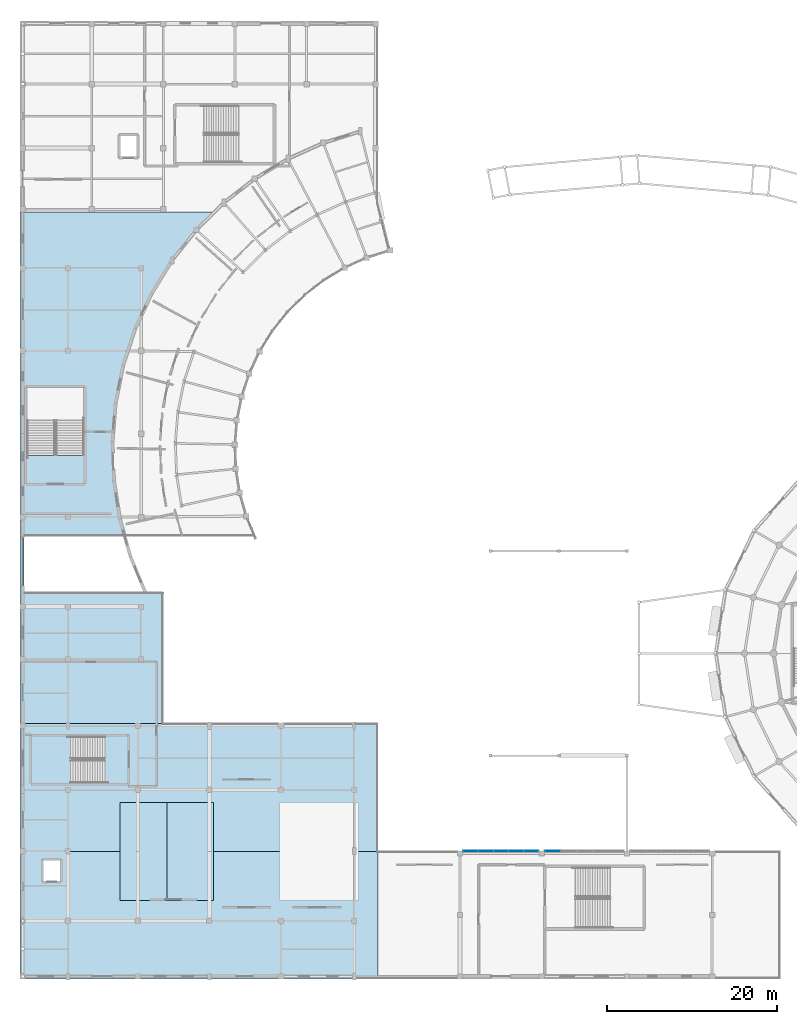
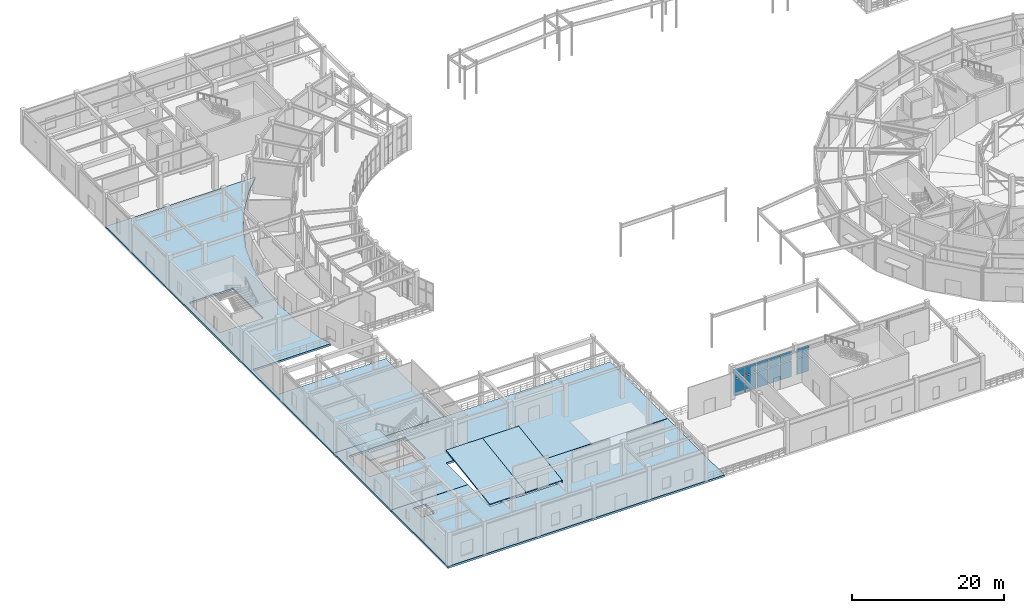
# One storey, part 40 of 93: 12 plates, 6 slabs, 3 elements without a shape of their own.
"""IFC4 building model written with IfcOpenShell, lengths in metres."""

from ifc_helpers import new_model, si_unit, direction, frame, origin, origin_2d, place, context, subcontext, project, spatial, polyline, rectangle, outline, extrude, material, layer, layer_set, type_object, element, aggregate, save


model = new_model("IFC4")

# Units and contexts
model_context = context("Model", 3, precision=1e-05, world=origin(), true_north=direction((0.0, 1.0)))
body_context = subcontext(model_context, "Body", "Model", "MODEL_VIEW")
ifc_project = project(units=[si_unit("LENGTHUNIT", "METRE"), si_unit("AREAUNIT", "SQUARE_METRE"), si_unit("VOLUMEUNIT", "CUBIC_METRE"), si_unit("PLANEANGLEUNIT", "RADIAN"), si_unit("MASSUNIT", "GRAM", prefix="KILO")], contexts=[model_context])

# Site, building, storey
site_placement = place(None, origin())
site = spatial("IfcSite", under=ifc_project, at=site_placement, CompositionType="ELEMENT")
building_placement = place(site_placement, origin())
building = spatial("IfcBuilding", under=site, at=building_placement, Name="Cinderbank Siding Concert Hall", CompositionType="ELEMENT")
storey_placement = place(building_placement, origin())
storey = spatial("IfcBuildingStorey", under=building, at=storey_placement, Name="L01", CompositionType="ELEMENT", Elevation=0.0)

# Curtain wall, plates
ifc_material_1 = material(Name="Anodised aluminium alloy 6063-T6", Category="aluminium")
curtain_wall_type = type_object("IfcCurtainWallType", Name="CW-16 Unitised Acoustic Curtain Wall 9200x3800", PredefinedType="NOTDEFINED", material=ifc_material_1)
curtain_wall_1_placement = place(storey_placement, origin())
curtain_wall_1 = element("IfcCurtainWall", 1, at=curtain_wall_1_placement, inside=storey, type_object=curtain_wall_type, Name="L01 Curtain Wall CW-16 #138", PredefinedType="NOTDEFINED")
ifc_material_2 = material(Name="Double-glazed laminated acoustic glass", Category="glass")
ifc_layer_1 = layer(ifc_material_2, 0.035888671875)
ifc_layer_set_1 = layer_set([ifc_layer_1], Name="Double-glazed laminated acoustic glass")
plate_type_1 = type_object("IfcPlateType", Name="CP-03 Glazed Curtain Panel 1600x2100", PredefinedType="CURTAIN_PANEL", material=ifc_layer_set_1)
plate_1_placement = place(storey_placement, frame((59.652099609375, 20.800048828125, 0.1201171875), z_axis=(0.0, 0.0, 1.0), x_axis=(1.0, 0.0, 0.0)))
plate_1 = element("IfcPlate", 2, at=plate_1_placement, type_object=plate_type_1, Name="CW-L01-138 Glazed Panel 0-0", PredefinedType="CURTAIN_PANEL", context=body_context, shape_type="SweptSolid", body=[
    extrude(rectangle(XDim=1.674072265625, YDim=0.035888671875, at=origin_2d()), origin(), (0.0, 0.0, 1.0), 2.548095703125),
])
plate_2_placement = place(storey_placement, frame((59.652099609375, 20.800048828125, 2.7880859375), z_axis=(0.0, 0.0, 1.0), x_axis=(1.0, 0.0, 0.0)))
plate_2 = element("IfcPlate", 3, at=plate_2_placement, type_object=plate_type_1, Name="CW-L01-138 Glazed Panel 0-1", PredefinedType="CURTAIN_PANEL", context=body_context, shape_type="SweptSolid", body=[
    extrude(rectangle(XDim=1.674072265625, YDim=0.035888671875, at=origin_2d()), origin(), (0.0, 0.0, 1.0), 1.491943359375),
])
plate_3_placement = place(storey_placement, frame((61.426025390625, 20.800048828125, 0.1201171875), z_axis=(0.0, 0.0, 1.0), x_axis=(1.0, 0.0, 0.0)))
plate_3 = element("IfcPlate", 4, at=plate_3_placement, type_object=plate_type_1, Name="CW-L01-138 Glazed Panel 1-0", PredefinedType="CURTAIN_PANEL", context=body_context, shape_type="SweptSolid", body=[
    extrude(rectangle(XDim=1.674072265625, YDim=0.035888671875, at=origin_2d()), origin(), (0.0, 0.0, 1.0), 2.548095703125),
])
plate_4_placement = place(storey_placement, frame((61.426025390625, 20.800048828125, 2.7880859375), z_axis=(0.0, 0.0, 1.0), x_axis=(1.0, 0.0, 0.0)))
plate_4 = element("IfcPlate", 5, at=plate_4_placement, type_object=plate_type_1, Name="CW-L01-138 Glazed Panel 1-1", PredefinedType="CURTAIN_PANEL", context=body_context, shape_type="SweptSolid", body=[
    extrude(rectangle(XDim=1.674072265625, YDim=0.035888671875, at=origin_2d()), origin(), (0.0, 0.0, 1.0), 1.491943359375),
])
plate_5_placement = place(storey_placement, frame((63.199951171875, 20.800048828125, 0.1201171875), z_axis=(0.0, 0.0, 1.0), x_axis=(1.0, 0.0, 0.0)))
plate_5 = element("IfcPlate", 6, at=plate_5_placement, type_object=plate_type_1, Name="CW-L01-138 Glazed Panel 2-0", PredefinedType="CURTAIN_PANEL", context=body_context, shape_type="SweptSolid", body=[
    extrude(rectangle(XDim=1.674072265625, YDim=0.035888671875, at=origin_2d()), origin(), (0.0, 0.0, 1.0), 2.548095703125),
])
plate_6_placement = place(storey_placement, frame((63.199951171875, 20.800048828125, 2.7880859375), z_axis=(0.0, 0.0, 1.0), x_axis=(1.0, 0.0, 0.0)))
plate_6 = element("IfcPlate", 7, at=plate_6_placement, type_object=plate_type_1, Name="CW-L01-138 Glazed Panel 2-1", PredefinedType="CURTAIN_PANEL", context=body_context, shape_type="SweptSolid", body=[
    extrude(rectangle(XDim=1.674072265625, YDim=0.035888671875, at=origin_2d()), origin(), (0.0, 0.0, 1.0), 1.491943359375),
])
plate_7_placement = place(storey_placement, frame((64.97412109375, 20.800048828125, 0.1201171875), z_axis=(0.0, 0.0, 1.0), x_axis=(1.0, 0.0, 0.0)))
plate_7 = element("IfcPlate", 8, at=plate_7_placement, type_object=plate_type_1, Name="CW-L01-138 Glazed Panel 3-0", PredefinedType="CURTAIN_PANEL", context=body_context, shape_type="SweptSolid", body=[
    extrude(rectangle(XDim=1.674072265625, YDim=0.035888671875, at=origin_2d()), origin(), (0.0, 0.0, 1.0), 2.548095703125),
])
plate_8_placement = place(storey_placement, frame((64.97412109375, 20.800048828125, 2.7880859375), z_axis=(0.0, 0.0, 1.0), x_axis=(1.0, 0.0, 0.0)))
plate_8 = element("IfcPlate", 9, at=plate_8_placement, type_object=plate_type_1, Name="CW-L01-138 Glazed Panel 3-1", PredefinedType="CURTAIN_PANEL", context=body_context, shape_type="SweptSolid", body=[
    extrude(rectangle(XDim=1.674072265625, YDim=0.035888671875, at=origin_2d()), origin(), (0.0, 0.0, 1.0), 1.491943359375),
])
plate_9_placement = place(storey_placement, frame((66.748046875, 20.800048828125, 0.1201171875), z_axis=(0.0, 0.0, 1.0), x_axis=(1.0, 0.0, 0.0)))
plate_9 = element("IfcPlate", 10, at=plate_9_placement, type_object=plate_type_1, Name="CW-L01-138 Glazed Panel 4-0", PredefinedType="CURTAIN_PANEL", context=body_context, shape_type="SweptSolid", body=[
    extrude(rectangle(XDim=1.674072265625, YDim=0.035888671875, at=origin_2d()), origin(), (0.0, 0.0, 1.0), 2.548095703125),
])
plate_10_placement = place(storey_placement, frame((66.748046875, 20.800048828125, 2.7880859375), z_axis=(0.0, 0.0, 1.0), x_axis=(1.0, 0.0, 0.0)))
plate_10 = element("IfcPlate", 11, at=plate_10_placement, type_object=plate_type_1, Name="CW-L01-138 Glazed Panel 4-1", PredefinedType="CURTAIN_PANEL", context=body_context, shape_type="SweptSolid", body=[
    extrude(rectangle(XDim=1.674072265625, YDim=0.035888671875, at=origin_2d()), origin(), (0.0, 0.0, 1.0), 1.491943359375),
])
aggregate(curtain_wall_1, [plate_1, plate_2, plate_3, plate_4, plate_5, plate_6, plate_7, plate_8, plate_9, plate_10])

curtain_wall_2_placement = place(storey_placement, origin())
curtain_wall_2 = element("IfcCurtainWall", 12, at=curtain_wall_2_placement, inside=storey, type_object=curtain_wall_type, Name="L01 Curtain Wall CW-16 #139", PredefinedType="NOTDEFINED")
ifc_layer_2 = layer(ifc_material_2, 0.031982421875)
ifc_layer_set_2 = layer_set([ifc_layer_2], Name="Double-glazed laminated acoustic glass")
plate_type_2 = type_object("IfcPlateType", Name="CP-04 Glazed Curtain Panel 1400x2000", PredefinedType="CURTAIN_PANEL", material=ifc_layer_set_2)
plate_11_placement = place(storey_placement, frame((69.2919921875, 20.800048828125, 0.1201171875), z_axis=(0.0, 0.0, 1.0), x_axis=(1.0, 0.0, 0.0)))
plate_11 = element("IfcPlate", 13, at=plate_11_placement, type_object=plate_type_2, Name="CW-L01-139 Glazed Panel 0-0", PredefinedType="CURTAIN_PANEL", context=body_context, shape_type="SweptSolid", body=[
    extrude(rectangle(XDim=1.75390625, YDim=0.035888671875, at=origin_2d()), origin(), (0.0, 0.0, 1.0), 2.548095703125),
])
plate_12_placement = place(storey_placement, frame((69.2919921875, 20.800048828125, 2.7880859375), z_axis=(0.0, 0.0, 1.0), x_axis=(1.0, 0.0, 0.0)))
plate_12 = element("IfcPlate", 14, at=plate_12_placement, type_object=plate_type_2, Name="CW-L01-139 Glazed Panel 0-1", PredefinedType="CURTAIN_PANEL", context=body_context, shape_type="SweptSolid", body=[
    extrude(rectangle(XDim=1.75390625, YDim=0.035888671875, at=origin_2d()), origin(), (0.0, 0.0, 1.0), 1.491943359375),
])
aggregate(curtain_wall_2, [plate_11, plate_12])

# Stair, slab
ifc_material_3 = material(Name="Reinforced concrete AS 3600 N50 (50 MPa)", Category="concrete")
stair_type = type_object("IfcStairType", Name="STR-A Dogleg Exit Stair 2650mm", PredefinedType="HALF_TURN_STAIR", material=ifc_material_3)
stair_placement = place(storey_placement, origin())
stair = element("IfcStair", 15, at=stair_placement, inside=storey, type_object=stair_type, Name="L01 Chamber Pavilion Exit Stair ST-06", PredefinedType="HALF_TURN_STAIR")
ifc_layer_3 = layer(ifc_material_3, 0.199951171875)
ifc_layer_set_3 = layer_set([ifc_layer_3], Name="Reinforced concrete AS 3600 N50 (50 MPa)")
slab_type_1 = type_object("IfcSlabType", Name="LD-02 Slab 200mm", PredefinedType="LANDING", material=ifc_layer_set_3)
slab_1_placement = place(storey_placement, frame((0.0, 0.0, 2.5)))
slab_1 = element("IfcSlab", 16, at=slab_1_placement, type_object=slab_type_1, Name="ST-06 landing 1", PredefinedType="LANDING", context=body_context, shape_type="SweptSolid", body=[
    extrude(outline(polyline([(12.77001953125, 34.340087890625), (12.77001953125, 28.719970703125), (8.1201171875, 28.719970703125), (8.1201171875, 34.340087890625), (12.77001953125, 34.340087890625)])), origin(), (0.0, 0.0, 1.0), 0.199951171875),
])
aggregate(stair, [slab_1])

# Slabs
ifc_layer_4 = layer(ifc_material_3, 0.320068359375)
ifc_layer_set_4 = layer_set([ifc_layer_4], Name="Reinforced concrete AS 3600 N50 (50 MPa)")
slab_type_2 = type_object("IfcSlabType", Name="SL-01 Slab 320mm", PredefinedType="FLOOR", material=ifc_layer_set_4)
slab_2_placement = place(storey_placement, frame((0.0, 0.0, -0.320068359375)))
element("IfcSlab", 17, at=slab_2_placement, inside=storey, type_object=slab_type_2, Name="L01 Chamber Music Hall Pavilion Slab North", PredefinedType="FLOOR", context=body_context, shape_type="SweptSolid", body=[
    extrude(outline(polyline([(48.800048828125, 20.756103515625), (29.501953125, 20.756103515625), (29.501953125, 26.501953125), (18.498046875, 26.501953125), (18.498046875, 20.756103515625), (6.800048828125, 20.756103515625), (6.800048828125, 35.800048828125), (48.800048828125, 35.800048828125), (48.800048828125, 20.756103515625)]), holes=[polyline([(16.75, 34.260009765625), (8.199951171875, 34.260009765625), (8.199951171875, 28.800048828125), (16.75, 28.800048828125), (16.75, 34.260009765625)])]), origin(), (0.0, 0.0, 1.0), 0.320068359375),
])
slab_3_placement = place(storey_placement, frame((0.0, 0.0, -0.320068359375)))
element("IfcSlab", 18, at=slab_3_placement, inside=storey, type_object=slab_type_2, Name="L01 Chamber Music Hall Pavilion Slab South", PredefinedType="FLOOR", context=body_context, shape_type="SweptSolid", body=[
    extrude(outline(polyline([(48.800048828125, 5.800048828125), (6.800048828125, 5.800048828125), (6.800048828125, 20.743896484375), (18.498046875, 20.743896484375), (18.498046875, 14.998046875), (29.501953125, 14.998046875), (29.501953125, 20.743896484375), (48.800048828125, 20.743896484375), (48.800048828125, 5.800048828125)]), holes=[polyline([(9.5400390625, 17.2900390625), (11.4599609375, 17.2900390625), (11.4599609375, 19.7099609375), (9.5400390625, 19.7099609375), (9.5400390625, 17.2900390625)])]), origin(), (0.0, 0.0, 1.0), 0.320068359375),
])
ifc_layer_5 = layer(ifc_material_3, 0.300048828125)
ifc_layer_set_5 = layer_set([ifc_layer_5], Name="Reinforced concrete AS 3600 N50 (50 MPa)")
slab_type_3 = type_object("IfcSlabType", Name="SL-05 Slab 300mm", PredefinedType="FLOOR", material=ifc_layer_set_5)
slab_4_placement = place(storey_placement, frame((0.0, 0.0, -0.300048828125)))
element("IfcSlab", 19, at=slab_4_placement, inside=storey, type_object=slab_type_3, Name="L01 WL Concourse Slab", PredefinedType="FLOOR", context=body_context, shape_type="SweptSolid", body=[
    extrude(outline(polyline([(29.59814453125, 95.800048828125), (27.463134765625, 93.694580078125), (24.62158203125, 90.135009765625), (22.221435546875, 86.263916015625), (20.296630859375, 82.135986328125), (18.8740234375, 77.80908203125), (17.9736328125, 73.34423828125), (17.6083984375, 68.80419921875), (17.783203125, 64.252685546875), (18.495849609375, 59.754150390625), (19.0712890625, 57.719970703125), (7.22998046875, 57.719970703125), (7.22998046875, 51.179931640625), (23.60009765625, 51.179931640625), (23.60009765625, 35.800048828125), (6.800048828125, 35.800048828125), (6.800048828125, 95.800048828125), (29.59814453125, 95.800048828125)]), holes=[polyline([(14.260009765625, 67.25), (14.260009765625, 75.199951171875), (7.60009765625, 75.199951171875), (7.60009765625, 67.25), (14.260009765625, 67.25)])]), origin(), (0.0, 0.0, 1.0), 0.300048828125),
])
ifc_material_4 = material(Name="Precast concrete AS 3600 N50 (50 MPa)", Category="concrete")
ifc_layer_6 = layer(ifc_material_4, 0.219970703125)
ifc_layer_set_6 = layer_set([ifc_layer_6], Name="Precast concrete AS 3600 N50 (50 MPa)")
slab_type_4 = type_object("IfcSlabType", Name="ST-TIER2 Slab 220mm", PredefinedType="USERDEFINED", material=ifc_layer_set_6)
for number, where, z_axis, x_axis, name in (
    (20, (18.5, 15.0, 0.320068359375), (0.0, -0.148759281191, 0.988873437938), (1.0, 0.0, 0.0), "Stand Chamber Hall Stalls Tier 18"),
    (21, (24.0, 15.0, 0.320068359375), (0.0, -0.148759281191, 0.988873437938), (1.0, 0.0, 0.0), "Stand Chamber Hall Stalls Tier 24"),
):
    element("IfcSlab", number, at=place(storey_placement, frame(where, z_axis=z_axis, x_axis=x_axis)), inside=storey, type_object=slab_type_4, Name=name, ObjectType="SEATING TIER", PredefinedType="USERDEFINED", context=body_context, shape_type="SweptSolid", body=[
        extrude(outline(polyline([(0.0, 0.0), (5.5, 0.0), (5.5, 11.629395187293984), (0.0, 11.629395187293984), (0.0, 0.0)])), origin(), (0.0, 0.0, -1.0), 0.219970703125),
    ])

save(model, "model.ifc")
